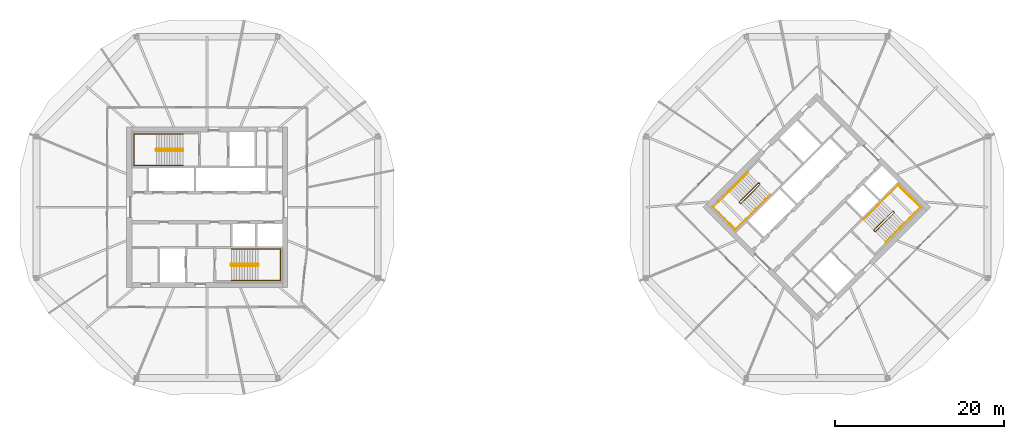
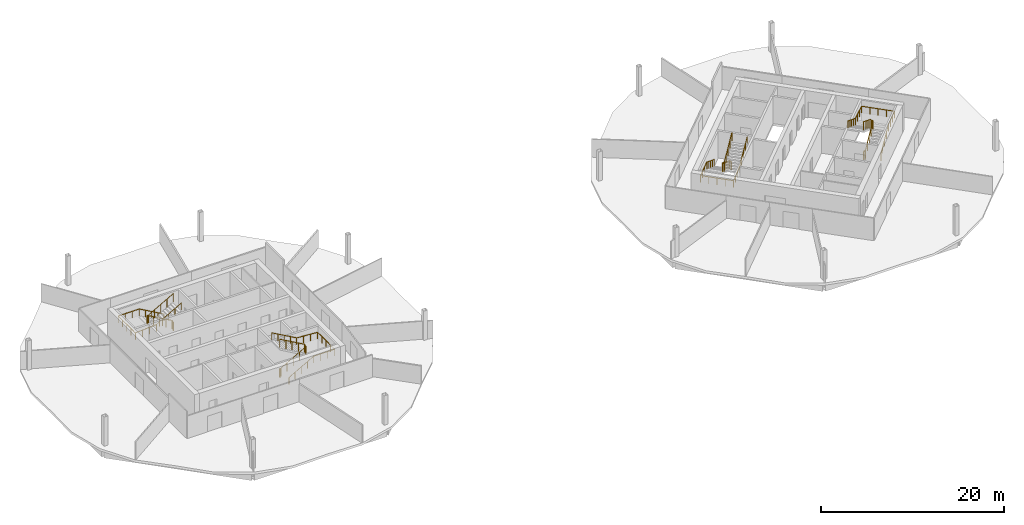
# One storey, part 10 of 10: 8 railings.
"""IFC4 building model written with IfcOpenShell, lengths in metres."""

from ifc_helpers import new_model, si_unit, direction, frame, origin, origin_2d, place, context, subcontext, project, spatial, circle, extrude, material, type_object, element, save


model = new_model("IFC4")

# Units and contexts
model_context = context("Model", 3, precision=1e-05, world=origin(), true_north=direction((0.0, 1.0)))
body_context = subcontext(model_context, "Body", "Model", "MODEL_VIEW")
ifc_project = project(units=[si_unit("LENGTHUNIT", "METRE"), si_unit("AREAUNIT", "SQUARE_METRE"), si_unit("VOLUMEUNIT", "CUBIC_METRE"), si_unit("PLANEANGLEUNIT", "RADIAN"), si_unit("MASSUNIT", "GRAM", prefix="KILO")], contexts=[model_context])

# Site, building, storey
site_placement = place(None, origin())
site = spatial("IfcSite", under=ifc_project, at=site_placement, CompositionType="ELEMENT")
building_placement = place(site_placement, origin())
building = spatial("IfcBuilding", under=site, at=building_placement, Name="Ogive Gate Towers", CompositionType="ELEMENT")
storey_placement = place(building_placement, frame((0.0, 0.0, 169.5)))
storey = spatial("IfcBuildingStorey", under=building, at=storey_placement, Name="L40", CompositionType="ELEMENT", Elevation=169.5)

# Railings
ifc_material = material(Name="Stainless steel", Category="steel")
railing_type_1 = type_object("IfcRailingType", Name="Stair guard 1100", PredefinedType="GUARDRAIL", material=ifc_material)
railing_1_placement = place(storey_placement, frame((-38.81494140625, 6.860107421875, 0.0)))
element("IfcRailing", 1, at=railing_1_placement, inside=storey, type_object=railing_type_1, Name="L40 ST1 stair guard 1", PredefinedType="GUARDRAIL", context=body_context, shape_type="SweptSolid", body=[
    extrude(circle(Radius=0.02392578125, at=origin_2d()), frame((0.0, 0.0, 1.076171875), z_axis=(0.0, -1.0, 0.0), x_axis=(1.0, 0.0, 0.0)), (0.0, 0.0, 1.0), 0.14501953125),
    extrude(circle(Radius=0.02392578125, at=origin_2d()), frame((0.0, -0.14501953125, 1.076171875), z_axis=(-0.186679794065, 0.726685247142, 0.661119660934), x_axis=(-0.968551454522, -0.24881334358, 0.0)), (0.0, 0.0, 1.0), 0.26806640625),
    extrude(circle(Radius=0.02392578125, at=origin_2d()), frame((-0.050048828125, 0.0498046875, 1.25341796875), z_axis=(-0.870572935281, 0.0, 0.492039393094), x_axis=(0.0, -1.0, 0.0)), (0.0, 0.0, 1.0), 3.602783203125),
    extrude(circle(Radius=0.02392578125, at=origin_2d()), frame((-3.1865234375, 0.0498046875, 3.02587890625), z_axis=(-0.707106781187, -0.707106781187, 0.0), x_axis=(0.707106781187, -0.707106781187, 0.0)), (0.0, 0.0, 1.0), 0.0703125),
    extrude(circle(Radius=0.02392578125, at=origin_2d()), frame((-3.236328125, 0.0, 3.02587890625), z_axis=(0.0, -1.0, 0.0), x_axis=(1.0, 0.0, 0.0)), (0.0, 0.0, 1.0), 0.14501953125),
    extrude(circle(Radius=0.02392578125, at=origin_2d()), frame((-3.236328125, -0.14501953125, 3.02587890625), z_axis=(0.261041864531, -0.262321481514, 0.929001929653), x_axis=(0.708833529934, 0.705375805398, 0.0)), (0.0, 0.0, 1.0), 0.190673828125),
    extrude(circle(Radius=0.02392578125, at=origin_2d()), frame((-3.1865234375, -0.195068359375, 3.203125), z_axis=(0.870572935281, 0.0, 0.492039393094), x_axis=(0.0, 1.0, 0.0)), (0.0, 0.0, 1.0), 3.602783203125),
    extrude(circle(Radius=0.02099609375, at=origin_2d()), origin(), (0.0, 0.0, 1.0), 1.052001953125),
    extrude(circle(Radius=0.02099609375, at=origin_2d()), frame((0.0, -0.14501953125, 0.0)), (0.0, 0.0, 1.0), 1.052001953125),
    extrude(circle(Radius=0.02099609375, at=origin_2d()), frame((-0.050048828125, 0.0498046875, 0.17724609375)), (0.0, 0.0, 1.0), 1.052001953125),
    extrude(circle(Radius=0.02099609375, at=origin_2d()), frame((-0.834228515625, 0.0498046875, 0.620361328125)), (0.0, 0.0, 1.0), 1.052001953125),
    extrude(circle(Radius=0.02099609375, at=origin_2d()), frame((-1.6181640625, 0.0498046875, 1.0634765625)), (0.0, 0.0, 1.0), 1.052001953125),
    extrude(circle(Radius=0.02099609375, at=origin_2d()), frame((-2.40234375, 0.0498046875, 1.5068359375)), (0.0, 0.0, 1.0), 1.052001953125),
    extrude(circle(Radius=0.02099609375, at=origin_2d()), frame((-3.1865234375, 0.0498046875, 1.949951171875)), (0.0, 0.0, 1.0), 1.052001953125),
    extrude(circle(Radius=0.02099609375, at=origin_2d()), frame((-3.236328125, 0.0, 1.949951171875)), (0.0, 0.0, 1.0), 1.052001953125),
    extrude(circle(Radius=0.02099609375, at=origin_2d()), frame((-3.236328125, -0.14501953125, 1.949951171875)), (0.0, 0.0, 1.0), 1.052001953125),
    extrude(circle(Radius=0.02099609375, at=origin_2d()), frame((-3.1865234375, -0.195068359375, 2.127197265625)), (0.0, 0.0, 1.0), 1.052001953125),
    extrude(circle(Radius=0.02099609375, at=origin_2d()), frame((-2.40234375, -0.195068359375, 2.5703125)), (0.0, 0.0, 1.0), 1.052001953125),
    extrude(circle(Radius=0.02099609375, at=origin_2d()), frame((-1.6181640625, -0.195068359375, 3.013671875)), (0.0, 0.0, 1.0), 1.052001953125),
    extrude(circle(Radius=0.02099609375, at=origin_2d()), frame((-0.834228515625, -0.195068359375, 3.456787109375)), (0.0, 0.0, 1.0), 1.052001953125),
    extrude(circle(Radius=0.02099609375, at=origin_2d()), frame((-0.050048828125, -0.195068359375, 3.89990234375)), (0.0, 0.0, 1.0), 1.052001953125),
])
railing_2_placement = place(storey_placement, frame((-33.18505859375, -6.860107421875, 0.0)))
element("IfcRailing", 2, at=railing_2_placement, inside=storey, type_object=railing_type_1, Name="L40 ST2 stair guard 1", PredefinedType="GUARDRAIL", context=body_context, shape_type="SweptSolid", body=[
    extrude(circle(Radius=0.02392578125, at=origin_2d()), frame((0.0, 0.0, 1.076171875), z_axis=(0.0, 1.0, 0.0), x_axis=(-1.0, 0.0, 0.0)), (0.0, 0.0, 1.0), 0.14501953125),
    extrude(circle(Radius=0.02392578125, at=origin_2d()), frame((0.0, 0.14501953125, 1.076171875), z_axis=(0.186679794065, -0.726685247142, 0.661119660934), x_axis=(0.968551454522, 0.24881334358, 0.0)), (0.0, 0.0, 1.0), 0.26806640625),
    extrude(circle(Radius=0.02392578125, at=origin_2d()), frame((0.050048828125, -0.0498046875, 1.25341796875), z_axis=(0.870572935281, 0.0, 0.492039393094), x_axis=(0.0, 1.0, 0.0)), (0.0, 0.0, 1.0), 3.602783203125),
    extrude(circle(Radius=0.02392578125, at=origin_2d()), frame((3.1865234375, -0.0498046875, 3.02587890625), z_axis=(0.707106781187, 0.707106781187, 0.0), x_axis=(-0.707106781187, 0.707106781187, 0.0)), (0.0, 0.0, 1.0), 0.0703125),
    extrude(circle(Radius=0.02392578125, at=origin_2d()), frame((3.236328125, 0.0, 3.02587890625), z_axis=(0.0, 1.0, 0.0), x_axis=(-1.0, 0.0, 0.0)), (0.0, 0.0, 1.0), 0.14501953125),
    extrude(circle(Radius=0.02392578125, at=origin_2d()), frame((3.236328125, 0.14501953125, 3.02587890625), z_axis=(-0.261041864531, 0.262321481514, 0.929001929653), x_axis=(-0.708833529934, -0.705375805398, 0.0)), (0.0, 0.0, 1.0), 0.190673828125),
    extrude(circle(Radius=0.02392578125, at=origin_2d()), frame((3.1865234375, 0.195068359375, 3.203125), z_axis=(-0.870572935281, 0.0, 0.492039393094), x_axis=(0.0, -1.0, 0.0)), (0.0, 0.0, 1.0), 3.602783203125),
    extrude(circle(Radius=0.02099609375, at=origin_2d()), origin(), (0.0, 0.0, 1.0), 1.052001953125),
    extrude(circle(Radius=0.02099609375, at=origin_2d()), frame((0.0, 0.14501953125, 0.0)), (0.0, 0.0, 1.0), 1.052001953125),
    extrude(circle(Radius=0.02099609375, at=origin_2d()), frame((0.050048828125, -0.0498046875, 0.17724609375)), (0.0, 0.0, 1.0), 1.052001953125),
    extrude(circle(Radius=0.02099609375, at=origin_2d()), frame((0.834228515625, -0.0498046875, 0.620361328125)), (0.0, 0.0, 1.0), 1.052001953125),
    extrude(circle(Radius=0.02099609375, at=origin_2d()), frame((1.6181640625, -0.0498046875, 1.0634765625)), (0.0, 0.0, 1.0), 1.052001953125),
    extrude(circle(Radius=0.02099609375, at=origin_2d()), frame((2.40234375, -0.0498046875, 1.5068359375)), (0.0, 0.0, 1.0), 1.052001953125),
    extrude(circle(Radius=0.02099609375, at=origin_2d()), frame((3.1865234375, -0.0498046875, 1.949951171875)), (0.0, 0.0, 1.0), 1.052001953125),
    extrude(circle(Radius=0.02099609375, at=origin_2d()), frame((3.236328125, 0.0, 1.949951171875)), (0.0, 0.0, 1.0), 1.052001953125),
    extrude(circle(Radius=0.02099609375, at=origin_2d()), frame((3.236328125, 0.14501953125, 1.949951171875)), (0.0, 0.0, 1.0), 1.052001953125),
    extrude(circle(Radius=0.02099609375, at=origin_2d()), frame((3.1865234375, 0.195068359375, 2.127197265625)), (0.0, 0.0, 1.0), 1.052001953125),
    extrude(circle(Radius=0.02099609375, at=origin_2d()), frame((2.40234375, 0.195068359375, 2.5703125)), (0.0, 0.0, 1.0), 1.052001953125),
    extrude(circle(Radius=0.02099609375, at=origin_2d()), frame((1.6181640625, 0.195068359375, 3.013671875)), (0.0, 0.0, 1.0), 1.052001953125),
    extrude(circle(Radius=0.02099609375, at=origin_2d()), frame((0.834228515625, 0.195068359375, 3.456787109375)), (0.0, 0.0, 1.0), 1.052001953125),
    extrude(circle(Radius=0.02099609375, at=origin_2d()), frame((0.050048828125, 0.195068359375, 3.89990234375)), (0.0, 0.0, 1.0), 1.052001953125),
])
railing_3_placement = place(storey_placement, frame((29.15869140625, 2.8603515625, 0.0)))
element("IfcRailing", 3, at=railing_3_placement, inside=storey, type_object=railing_type_1, Name="L40 ST1 stair guard 1", PredefinedType="GUARDRAIL", context=body_context, shape_type="SweptSolid", body=[
    extrude(circle(Radius=0.02392578125, at=origin_2d()), frame((0.0, 0.0, 1.076171875), z_axis=(0.707106781187, -0.707106781187, 0.0), x_axis=(0.707106781187, 0.707106781187, 0.0)), (0.0, 0.0, 1.0), 0.14501953125),
    extrude(circle(Radius=0.02392578125, at=origin_2d()), frame((0.1025390625, -0.1025390625, 1.076171875), z_axis=(-0.645571447971, 0.382425963537, 0.661050594114), x_axis=(-0.509669330572, -0.860370369942, 0.0)), (0.0, 0.0, 1.0), 0.26806640625),
    extrude(circle(Radius=0.02392578125, at=origin_2d()), frame((-0.070556640625, 0.0, 1.25341796875), z_axis=(-0.61558473135, -0.61558473135, 0.49204763698), x_axis=(0.707106781187, -0.707106781187, 0.0)), (0.0, 0.0, 1.0), 3.602783203125),
    extrude(circle(Radius=0.02392578125, at=origin_2d()), frame((-2.288330078125, -2.2177734375, 3.02587890625), z_axis=(0.0, -1.0, 0.0), x_axis=(1.0, 0.0, 0.0)), (0.0, 0.0, 1.0), 0.07080078125),
    extrude(circle(Radius=0.02392578125, at=origin_2d()), frame((-2.288330078125, -2.28857421875, 3.02587890625), z_axis=(0.707106781187, -0.707106781187, 0.0), x_axis=(0.707106781187, 0.707106781187, 0.0)), (0.0, 0.0, 1.0), 0.14501953125),
    extrude(circle(Radius=0.02392578125, at=origin_2d()), frame((-2.185791015625, -2.39111328125, 3.02587890625), z_axis=(0.369845645421, 0.0, 0.929093213065), x_axis=(0.0, 1.0, 0.0)), (0.0, 0.0, 1.0), 0.190673828125),
    extrude(circle(Radius=0.02392578125, at=origin_2d()), frame((-2.115234375, -2.39111328125, 3.203125), z_axis=(0.61558473135, 0.61558473135, 0.49204763698), x_axis=(-0.707106781187, 0.707106781187, 0.0)), (0.0, 0.0, 1.0), 3.602783203125),
    extrude(circle(Radius=0.02099609375, at=origin_2d()), origin(), (0.0, 0.0, 1.0), 1.052001953125),
    extrude(circle(Radius=0.02099609375, at=origin_2d()), frame((0.1025390625, -0.1025390625, 0.0)), (0.0, 0.0, 1.0), 1.052001953125),
    extrude(circle(Radius=0.02099609375, at=origin_2d()), frame((-0.070556640625, 0.0, 0.17724609375)), (0.0, 0.0, 1.0), 1.052001953125),
    extrude(circle(Radius=0.02099609375, at=origin_2d()), frame((-0.625, -0.554443359375, 0.620361328125)), (0.0, 0.0, 1.0), 1.052001953125),
    extrude(circle(Radius=0.02099609375, at=origin_2d()), frame((-1.179443359375, -1.10888671875, 1.0634765625)), (0.0, 0.0, 1.0), 1.052001953125),
    extrude(circle(Radius=0.02099609375, at=origin_2d()), frame((-1.73388671875, -1.663330078125, 1.5068359375)), (0.0, 0.0, 1.0), 1.052001953125),
    extrude(circle(Radius=0.02099609375, at=origin_2d()), frame((-2.288330078125, -2.2177734375, 1.949951171875)), (0.0, 0.0, 1.0), 1.052001953125),
    extrude(circle(Radius=0.02099609375, at=origin_2d()), frame((-2.288330078125, -2.28857421875, 1.949951171875)), (0.0, 0.0, 1.0), 1.052001953125),
    extrude(circle(Radius=0.02099609375, at=origin_2d()), frame((-2.185791015625, -2.39111328125, 1.949951171875)), (0.0, 0.0, 1.0), 1.052001953125),
    extrude(circle(Radius=0.02099609375, at=origin_2d()), frame((-2.115234375, -2.39111328125, 2.127197265625)), (0.0, 0.0, 1.0), 1.052001953125),
    extrude(circle(Radius=0.02099609375, at=origin_2d()), frame((-1.560791015625, -1.836669921875, 2.5703125)), (0.0, 0.0, 1.0), 1.052001953125),
    extrude(circle(Radius=0.02099609375, at=origin_2d()), frame((-1.00634765625, -1.2822265625, 3.013671875)), (0.0, 0.0, 1.0), 1.052001953125),
    extrude(circle(Radius=0.02099609375, at=origin_2d()), frame((-0.451904296875, -0.727783203125, 3.456787109375)), (0.0, 0.0, 1.0), 1.052001953125),
    extrude(circle(Radius=0.02099609375, at=origin_2d()), frame((0.1025390625, -0.17333984375, 3.89990234375)), (0.0, 0.0, 1.0), 1.052001953125),
])
railing_4_placement = place(storey_placement, frame((42.84130859375, -2.8603515625, 0.0)))
element("IfcRailing", 4, at=railing_4_placement, inside=storey, type_object=railing_type_1, Name="L40 ST2 stair guard 1", PredefinedType="GUARDRAIL", context=body_context, shape_type="SweptSolid", body=[
    extrude(circle(Radius=0.02392578125, at=origin_2d()), frame((0.0, 0.0, 1.076171875), z_axis=(-0.707106781187, 0.707106781187, 0.0), x_axis=(-0.707106781187, -0.707106781187, 0.0)), (0.0, 0.0, 1.0), 0.14501953125),
    extrude(circle(Radius=0.02392578125, at=origin_2d()), frame((-0.1025390625, 0.1025390625, 1.076171875), z_axis=(0.645571447971, -0.382425963537, 0.661050594114), x_axis=(0.509669330572, 0.860370369942, 0.0)), (0.0, 0.0, 1.0), 0.26806640625),
    extrude(circle(Radius=0.02392578125, at=origin_2d()), frame((0.070556640625, 0.0, 1.25341796875), z_axis=(0.61558473135, 0.61558473135, 0.49204763698), x_axis=(-0.707106781187, 0.707106781187, 0.0)), (0.0, 0.0, 1.0), 3.602783203125),
    extrude(circle(Radius=0.02392578125, at=origin_2d()), frame((2.288330078125, 2.2177734375, 3.02587890625), z_axis=(0.0, 1.0, 0.0), x_axis=(-1.0, 0.0, 0.0)), (0.0, 0.0, 1.0), 0.07080078125),
    extrude(circle(Radius=0.02392578125, at=origin_2d()), frame((2.288330078125, 2.28857421875, 3.02587890625), z_axis=(-0.707106781187, 0.707106781187, 0.0), x_axis=(-0.707106781187, -0.707106781187, 0.0)), (0.0, 0.0, 1.0), 0.14501953125),
    extrude(circle(Radius=0.02392578125, at=origin_2d()), frame((2.185791015625, 2.39111328125, 3.02587890625), z_axis=(-0.369845645421, 0.0, 0.929093213065), x_axis=(0.0, -1.0, 0.0)), (0.0, 0.0, 1.0), 0.190673828125),
    extrude(circle(Radius=0.02392578125, at=origin_2d()), frame((2.115234375, 2.39111328125, 3.203125), z_axis=(-0.61558473135, -0.61558473135, 0.49204763698), x_axis=(0.707106781187, -0.707106781187, 0.0)), (0.0, 0.0, 1.0), 3.602783203125),
    extrude(circle(Radius=0.02099609375, at=origin_2d()), origin(), (0.0, 0.0, 1.0), 1.052001953125),
    extrude(circle(Radius=0.02099609375, at=origin_2d()), frame((-0.1025390625, 0.1025390625, 0.0)), (0.0, 0.0, 1.0), 1.052001953125),
    extrude(circle(Radius=0.02099609375, at=origin_2d()), frame((0.070556640625, 0.0, 0.17724609375)), (0.0, 0.0, 1.0), 1.052001953125),
    extrude(circle(Radius=0.02099609375, at=origin_2d()), frame((0.625, 0.554443359375, 0.620361328125)), (0.0, 0.0, 1.0), 1.052001953125),
    extrude(circle(Radius=0.02099609375, at=origin_2d()), frame((1.179443359375, 1.10888671875, 1.0634765625)), (0.0, 0.0, 1.0), 1.052001953125),
    extrude(circle(Radius=0.02099609375, at=origin_2d()), frame((1.73388671875, 1.663330078125, 1.5068359375)), (0.0, 0.0, 1.0), 1.052001953125),
    extrude(circle(Radius=0.02099609375, at=origin_2d()), frame((2.288330078125, 2.2177734375, 1.949951171875)), (0.0, 0.0, 1.0), 1.052001953125),
    extrude(circle(Radius=0.02099609375, at=origin_2d()), frame((2.288330078125, 2.28857421875, 1.949951171875)), (0.0, 0.0, 1.0), 1.052001953125),
    extrude(circle(Radius=0.02099609375, at=origin_2d()), frame((2.185791015625, 2.39111328125, 1.949951171875)), (0.0, 0.0, 1.0), 1.052001953125),
    extrude(circle(Radius=0.02099609375, at=origin_2d()), frame((2.115234375, 2.39111328125, 2.127197265625)), (0.0, 0.0, 1.0), 1.052001953125),
    extrude(circle(Radius=0.02099609375, at=origin_2d()), frame((1.560791015625, 1.836669921875, 2.5703125)), (0.0, 0.0, 1.0), 1.052001953125),
    extrude(circle(Radius=0.02099609375, at=origin_2d()), frame((1.00634765625, 1.2822265625, 3.013671875)), (0.0, 0.0, 1.0), 1.052001953125),
    extrude(circle(Radius=0.02099609375, at=origin_2d()), frame((0.451904296875, 0.727783203125, 3.456787109375)), (0.0, 0.0, 1.0), 1.052001953125),
    extrude(circle(Radius=0.02099609375, at=origin_2d()), frame((-0.1025390625, 0.17333984375, 3.89990234375)), (0.0, 0.0, 1.0), 1.052001953125),
])
railing_type_2 = type_object("IfcRailingType", Name="Stair handrail 900", PredefinedType="HANDRAIL", material=ifc_material)
railing_5_placement = place(storey_placement, frame((-38.864990234375, 8.64990234375, 0.17724609375)))
element("IfcRailing", 5, at=railing_5_placement, inside=storey, type_object=railing_type_2, Name="L40 ST1 stair handrail 1", PredefinedType="HANDRAIL", context=body_context, shape_type="SweptSolid", body=[
    extrude(circle(Radius=0.02392578125, at=origin_2d()), frame((0.0, 0.0, 0.8759765625), z_axis=(-0.870572935281, 0.0, 0.492039393094), x_axis=(0.0, -1.0, 0.0)), (0.0, 0.0, 1.0), 3.602783203125),
    extrude(circle(Radius=0.02392578125, at=origin_2d()), frame((-3.136474609375, 0.0, 2.6484375), z_axis=(-1.0, 0.0, 0.0), x_axis=(0.0, -1.0, 0.0)), (0.0, 0.0, 1.0), 2.6484375),
    extrude(circle(Radius=0.02392578125, at=origin_2d()), frame((-5.784912109375, 0.0, 2.6484375), z_axis=(0.0, -1.0, 0.0), x_axis=(1.0, 0.0, 0.0)), (0.0, 0.0, 1.0), 3.724853515625),
    extrude(circle(Radius=0.02392578125, at=origin_2d()), frame((-5.784912109375, -3.724853515625, 2.6484375), z_axis=(0.997768031817, 0.0, 0.066775404784), x_axis=(0.0, 1.0, 0.0)), (0.0, 0.0, 1.0), 2.654296875),
    extrude(circle(Radius=0.02392578125, at=origin_2d()), frame((-3.136474609375, -3.724853515625, 2.82568359375), z_axis=(0.870572935281, 0.0, 0.492039393094), x_axis=(0.0, 1.0, 0.0)), (0.0, 0.0, 1.0), 3.602783203125),
    extrude(circle(Radius=0.02099609375, at=origin_2d()), origin(), (0.0, 0.0, 1.0), 0.851806640625),
    extrude(circle(Radius=0.02099609375, at=origin_2d()), frame((-0.7841796875, 0.0, 0.443115234375)), (0.0, 0.0, 1.0), 0.851806640625),
    extrude(circle(Radius=0.02099609375, at=origin_2d()), frame((-1.568359375, 0.0, 0.88623046875)), (0.0, 0.0, 1.0), 0.851806640625),
    extrude(circle(Radius=0.02099609375, at=origin_2d()), frame((-2.352294921875, 0.0, 1.32958984375)), (0.0, 0.0, 1.0), 0.851806640625),
    extrude(circle(Radius=0.02099609375, at=origin_2d()), frame((-3.136474609375, 0.0, 1.772705078125)), (0.0, 0.0, 1.0), 0.851806640625),
    extrude(circle(Radius=0.02099609375, at=origin_2d()), frame((-4.019287109375, 0.0, 1.772705078125)), (0.0, 0.0, 1.0), 0.851806640625),
    extrude(circle(Radius=0.02099609375, at=origin_2d()), frame((-4.902099609375, 0.0, 1.772705078125)), (0.0, 0.0, 1.0), 0.851806640625),
    extrude(circle(Radius=0.02099609375, at=origin_2d()), frame((-5.784912109375, 0.0, 1.772705078125)), (0.0, 0.0, 1.0), 0.851806640625),
    extrude(circle(Radius=0.02099609375, at=origin_2d()), frame((-5.784912109375, -0.93115234375, 1.772705078125)), (0.0, 0.0, 1.0), 0.851806640625),
    extrude(circle(Radius=0.02099609375, at=origin_2d()), frame((-5.784912109375, -1.8623046875, 1.772705078125)), (0.0, 0.0, 1.0), 0.851806640625),
    extrude(circle(Radius=0.02099609375, at=origin_2d()), frame((-5.784912109375, -2.793701171875, 1.772705078125)), (0.0, 0.0, 1.0), 0.851806640625),
    extrude(circle(Radius=0.02099609375, at=origin_2d()), frame((-5.784912109375, -3.724853515625, 1.772705078125)), (0.0, 0.0, 1.0), 0.851806640625),
    extrude(circle(Radius=0.02099609375, at=origin_2d()), frame((-4.902099609375, -3.724853515625, 1.831787109375)), (0.0, 0.0, 1.0), 0.851806640625),
    extrude(circle(Radius=0.02099609375, at=origin_2d()), frame((-4.019287109375, -3.724853515625, 1.890869140625)), (0.0, 0.0, 1.0), 0.851806640625),
    extrude(circle(Radius=0.02099609375, at=origin_2d()), frame((-3.136474609375, -3.724853515625, 1.949951171875)), (0.0, 0.0, 1.0), 0.851806640625),
    extrude(circle(Radius=0.02099609375, at=origin_2d()), frame((-2.352294921875, -3.724853515625, 2.39306640625)), (0.0, 0.0, 1.0), 0.851806640625),
    extrude(circle(Radius=0.02099609375, at=origin_2d()), frame((-1.568359375, -3.724853515625, 2.83642578125)), (0.0, 0.0, 1.0), 0.851806640625),
    extrude(circle(Radius=0.02099609375, at=origin_2d()), frame((-0.7841796875, -3.724853515625, 3.279541015625)), (0.0, 0.0, 1.0), 0.851806640625),
    extrude(circle(Radius=0.02099609375, at=origin_2d()), frame((0.0, -3.724853515625, 3.72265625)), (0.0, 0.0, 1.0), 0.851806640625),
])
railing_6_placement = place(storey_placement, frame((-33.135009765625, -8.64990234375, 0.17724609375)))
element("IfcRailing", 6, at=railing_6_placement, inside=storey, type_object=railing_type_2, Name="L40 ST2 stair handrail 1", PredefinedType="HANDRAIL", context=body_context, shape_type="SweptSolid", body=[
    extrude(circle(Radius=0.02392578125, at=origin_2d()), frame((0.0, 0.0, 0.8759765625), z_axis=(0.870572935281, 0.0, 0.492039393094), x_axis=(0.0, 1.0, 0.0)), (0.0, 0.0, 1.0), 3.602783203125),
    extrude(circle(Radius=0.02392578125, at=origin_2d()), frame((3.136474609375, 0.0, 2.6484375), z_axis=(1.0, 0.0, 0.0), x_axis=(0.0, 1.0, 0.0)), (0.0, 0.0, 1.0), 2.6484375),
    extrude(circle(Radius=0.02392578125, at=origin_2d()), frame((5.784912109375, 0.0, 2.6484375), z_axis=(0.0, 1.0, 0.0), x_axis=(-1.0, 0.0, 0.0)), (0.0, 0.0, 1.0), 3.724853515625),
    extrude(circle(Radius=0.02392578125, at=origin_2d()), frame((5.784912109375, 3.724853515625, 2.6484375), z_axis=(-0.997768031817, 0.0, 0.066775404784), x_axis=(0.0, -1.0, 0.0)), (0.0, 0.0, 1.0), 2.654296875),
    extrude(circle(Radius=0.02392578125, at=origin_2d()), frame((3.136474609375, 3.724853515625, 2.82568359375), z_axis=(-0.870572935281, 0.0, 0.492039393094), x_axis=(0.0, -1.0, 0.0)), (0.0, 0.0, 1.0), 3.602783203125),
    extrude(circle(Radius=0.02099609375, at=origin_2d()), origin(), (0.0, 0.0, 1.0), 0.851806640625),
    extrude(circle(Radius=0.02099609375, at=origin_2d()), frame((0.7841796875, 0.0, 0.443115234375)), (0.0, 0.0, 1.0), 0.851806640625),
    extrude(circle(Radius=0.02099609375, at=origin_2d()), frame((1.568359375, 0.0, 0.88623046875)), (0.0, 0.0, 1.0), 0.851806640625),
    extrude(circle(Radius=0.02099609375, at=origin_2d()), frame((2.352294921875, 0.0, 1.32958984375)), (0.0, 0.0, 1.0), 0.851806640625),
    extrude(circle(Radius=0.02099609375, at=origin_2d()), frame((3.136474609375, 0.0, 1.772705078125)), (0.0, 0.0, 1.0), 0.851806640625),
    extrude(circle(Radius=0.02099609375, at=origin_2d()), frame((4.019287109375, 0.0, 1.772705078125)), (0.0, 0.0, 1.0), 0.851806640625),
    extrude(circle(Radius=0.02099609375, at=origin_2d()), frame((4.902099609375, 0.0, 1.772705078125)), (0.0, 0.0, 1.0), 0.851806640625),
    extrude(circle(Radius=0.02099609375, at=origin_2d()), frame((5.784912109375, 0.0, 1.772705078125)), (0.0, 0.0, 1.0), 0.851806640625),
    extrude(circle(Radius=0.02099609375, at=origin_2d()), frame((5.784912109375, 0.93115234375, 1.772705078125)), (0.0, 0.0, 1.0), 0.851806640625),
    extrude(circle(Radius=0.02099609375, at=origin_2d()), frame((5.784912109375, 1.8623046875, 1.772705078125)), (0.0, 0.0, 1.0), 0.851806640625),
    extrude(circle(Radius=0.02099609375, at=origin_2d()), frame((5.784912109375, 2.793701171875, 1.772705078125)), (0.0, 0.0, 1.0), 0.851806640625),
    extrude(circle(Radius=0.02099609375, at=origin_2d()), frame((5.784912109375, 3.724853515625, 1.772705078125)), (0.0, 0.0, 1.0), 0.851806640625),
    extrude(circle(Radius=0.02099609375, at=origin_2d()), frame((4.902099609375, 3.724853515625, 1.831787109375)), (0.0, 0.0, 1.0), 0.851806640625),
    extrude(circle(Radius=0.02099609375, at=origin_2d()), frame((4.019287109375, 3.724853515625, 1.890869140625)), (0.0, 0.0, 1.0), 0.851806640625),
    extrude(circle(Radius=0.02099609375, at=origin_2d()), frame((3.136474609375, 3.724853515625, 1.949951171875)), (0.0, 0.0, 1.0), 0.851806640625),
    extrude(circle(Radius=0.02099609375, at=origin_2d()), frame((2.352294921875, 3.724853515625, 2.39306640625)), (0.0, 0.0, 1.0), 0.851806640625),
    extrude(circle(Radius=0.02099609375, at=origin_2d()), frame((1.568359375, 3.724853515625, 2.83642578125)), (0.0, 0.0, 1.0), 0.851806640625),
    extrude(circle(Radius=0.02099609375, at=origin_2d()), frame((0.7841796875, 3.724853515625, 3.279541015625)), (0.0, 0.0, 1.0), 0.851806640625),
    extrude(circle(Radius=0.02099609375, at=origin_2d()), frame((0.0, 3.724853515625, 3.72265625)), (0.0, 0.0, 1.0), 0.851806640625),
])
railing_7_placement = place(storey_placement, frame((27.857666015625, 4.090576171875, 0.17724609375)))
element("IfcRailing", 7, at=railing_7_placement, inside=storey, type_object=railing_type_2, Name="L40 ST1 stair handrail 1", PredefinedType="HANDRAIL", context=body_context, shape_type="SweptSolid", body=[
    extrude(circle(Radius=0.02392578125, at=origin_2d()), frame((0.0, 0.0, 0.8759765625), z_axis=(-0.61558473135, -0.61558473135, 0.49204763698), x_axis=(0.707106781187, -0.707106781187, 0.0)), (0.0, 0.0, 1.0), 3.602783203125),
    extrude(circle(Radius=0.02392578125, at=origin_2d()), frame((-2.2177734375, -2.2177734375, 2.6484375), z_axis=(-0.707106781187, -0.707106781187, 0.0), x_axis=(0.707106781187, -0.707106781187, 0.0)), (0.0, 0.0, 1.0), 2.6484375),
    extrude(circle(Radius=0.02392578125, at=origin_2d()), frame((-4.090576171875, -4.090576171875, 2.6484375), z_axis=(0.707106781187, -0.707106781187, 0.0), x_axis=(0.707106781187, 0.707106781187, 0.0)), (0.0, 0.0, 1.0), 3.72509765625),
    extrude(circle(Radius=0.02392578125, at=origin_2d()), frame((-1.45654296875, -6.724609375, 2.6484375), z_axis=(0.705482886452, 0.705574853978, 0.066768423356), x_axis=(-0.70715286629, 0.70706069308, 0.0)), (0.0, 0.0, 1.0), 2.654541015625),
    extrude(circle(Radius=0.02392578125, at=origin_2d()), frame((0.416259765625, -4.8515625, 2.82568359375), z_axis=(0.615610411033, 0.615542642384, 0.4920681632), x_axis=(-0.70706785752, 0.70714570271, 0.0)), (0.0, 0.0, 1.0), 3.6025390625),
    extrude(circle(Radius=0.02099609375, at=origin_2d()), origin(), (0.0, 0.0, 1.0), 0.851806640625),
    extrude(circle(Radius=0.02099609375, at=origin_2d()), frame((-0.554443359375, -0.554443359375, 0.443115234375)), (0.0, 0.0, 1.0), 0.851806640625),
    extrude(circle(Radius=0.02099609375, at=origin_2d()), frame((-1.10888671875, -1.10888671875, 0.88623046875)), (0.0, 0.0, 1.0), 0.851806640625),
    extrude(circle(Radius=0.02099609375, at=origin_2d()), frame((-1.663330078125, -1.663330078125, 1.32958984375)), (0.0, 0.0, 1.0), 0.851806640625),
    extrude(circle(Radius=0.02099609375, at=origin_2d()), frame((-2.2177734375, -2.2177734375, 1.772705078125)), (0.0, 0.0, 1.0), 0.851806640625),
    extrude(circle(Radius=0.02099609375, at=origin_2d()), frame((-2.842041015625, -2.842041015625, 1.772705078125)), (0.0, 0.0, 1.0), 0.851806640625),
    extrude(circle(Radius=0.02099609375, at=origin_2d()), frame((-3.46630859375, -3.46630859375, 1.772705078125)), (0.0, 0.0, 1.0), 0.851806640625),
    extrude(circle(Radius=0.02099609375, at=origin_2d()), frame((-4.090576171875, -4.090576171875, 1.772705078125)), (0.0, 0.0, 1.0), 0.851806640625),
    extrude(circle(Radius=0.02099609375, at=origin_2d()), frame((-3.43212890625, -4.7490234375, 1.772705078125)), (0.0, 0.0, 1.0), 0.851806640625),
    extrude(circle(Radius=0.02099609375, at=origin_2d()), frame((-2.7734375, -5.40771484375, 1.772705078125)), (0.0, 0.0, 1.0), 0.851806640625),
    extrude(circle(Radius=0.02099609375, at=origin_2d()), frame((-2.114990234375, -6.066162109375, 1.772705078125)), (0.0, 0.0, 1.0), 0.851806640625),
    extrude(circle(Radius=0.02099609375, at=origin_2d()), frame((-1.45654296875, -6.724609375, 1.772705078125)), (0.0, 0.0, 1.0), 0.851806640625),
    extrude(circle(Radius=0.02099609375, at=origin_2d()), frame((-0.832275390625, -6.100341796875, 1.831787109375)), (0.0, 0.0, 1.0), 0.851806640625),
    extrude(circle(Radius=0.02099609375, at=origin_2d()), frame((-0.2080078125, -5.475830078125, 1.890869140625)), (0.0, 0.0, 1.0), 0.851806640625),
    extrude(circle(Radius=0.02099609375, at=origin_2d()), frame((0.416259765625, -4.8515625, 1.949951171875)), (0.0, 0.0, 1.0), 0.851806640625),
    extrude(circle(Radius=0.02099609375, at=origin_2d()), frame((0.970703125, -4.297119140625, 2.39306640625)), (0.0, 0.0, 1.0), 0.851806640625),
    extrude(circle(Radius=0.02099609375, at=origin_2d()), frame((1.525146484375, -3.74267578125, 2.83642578125)), (0.0, 0.0, 1.0), 0.851806640625),
    extrude(circle(Radius=0.02099609375, at=origin_2d()), frame((2.07958984375, -3.1884765625, 3.279541015625)), (0.0, 0.0, 1.0), 0.851806640625),
    extrude(circle(Radius=0.02099609375, at=origin_2d()), frame((2.634033203125, -2.634033203125, 3.72265625)), (0.0, 0.0, 1.0), 0.851806640625),
])
railing_8_placement = place(storey_placement, frame((44.142333984375, -4.090576171875, 0.17724609375)))
element("IfcRailing", 8, at=railing_8_placement, inside=storey, type_object=railing_type_2, Name="L40 ST2 stair handrail 1", PredefinedType="HANDRAIL", context=body_context, shape_type="SweptSolid", body=[
    extrude(circle(Radius=0.02392578125, at=origin_2d()), frame((0.0, 0.0, 0.8759765625), z_axis=(0.61558473135, 0.61558473135, 0.49204763698), x_axis=(-0.707106781187, 0.707106781187, 0.0)), (0.0, 0.0, 1.0), 3.602783203125),
    extrude(circle(Radius=0.02392578125, at=origin_2d()), frame((2.2177734375, 2.2177734375, 2.6484375), z_axis=(0.707106781187, 0.707106781187, 0.0), x_axis=(-0.707106781187, 0.707106781187, 0.0)), (0.0, 0.0, 1.0), 2.6484375),
    extrude(circle(Radius=0.02392578125, at=origin_2d()), frame((4.090576171875, 4.090576171875, 2.6484375), z_axis=(-0.707106781187, 0.707106781187, 0.0), x_axis=(-0.707106781187, -0.707106781187, 0.0)), (0.0, 0.0, 1.0), 3.72509765625),
    extrude(circle(Radius=0.02392578125, at=origin_2d()), frame((1.45654296875, 6.724609375, 2.6484375), z_axis=(-0.705482886452, -0.705574853978, 0.066768423356), x_axis=(0.70715286629, -0.70706069308, 0.0)), (0.0, 0.0, 1.0), 2.654541015625),
    extrude(circle(Radius=0.02392578125, at=origin_2d()), frame((-0.416259765625, 4.8515625, 2.82568359375), z_axis=(-0.615610411033, -0.615542642384, 0.4920681632), x_axis=(0.70706785752, -0.70714570271, 0.0)), (0.0, 0.0, 1.0), 3.6025390625),
    extrude(circle(Radius=0.02099609375, at=origin_2d()), origin(), (0.0, 0.0, 1.0), 0.851806640625),
    extrude(circle(Radius=0.02099609375, at=origin_2d()), frame((0.554443359375, 0.554443359375, 0.443115234375)), (0.0, 0.0, 1.0), 0.851806640625),
    extrude(circle(Radius=0.02099609375, at=origin_2d()), frame((1.10888671875, 1.10888671875, 0.88623046875)), (0.0, 0.0, 1.0), 0.851806640625),
    extrude(circle(Radius=0.02099609375, at=origin_2d()), frame((1.663330078125, 1.663330078125, 1.32958984375)), (0.0, 0.0, 1.0), 0.851806640625),
    extrude(circle(Radius=0.02099609375, at=origin_2d()), frame((2.2177734375, 2.2177734375, 1.772705078125)), (0.0, 0.0, 1.0), 0.851806640625),
    extrude(circle(Radius=0.02099609375, at=origin_2d()), frame((2.842041015625, 2.842041015625, 1.772705078125)), (0.0, 0.0, 1.0), 0.851806640625),
    extrude(circle(Radius=0.02099609375, at=origin_2d()), frame((3.46630859375, 3.46630859375, 1.772705078125)), (0.0, 0.0, 1.0), 0.851806640625),
    extrude(circle(Radius=0.02099609375, at=origin_2d()), frame((4.090576171875, 4.090576171875, 1.772705078125)), (0.0, 0.0, 1.0), 0.851806640625),
    extrude(circle(Radius=0.02099609375, at=origin_2d()), frame((3.43212890625, 4.7490234375, 1.772705078125)), (0.0, 0.0, 1.0), 0.851806640625),
    extrude(circle(Radius=0.02099609375, at=origin_2d()), frame((2.7734375, 5.40771484375, 1.772705078125)), (0.0, 0.0, 1.0), 0.851806640625),
    extrude(circle(Radius=0.02099609375, at=origin_2d()), frame((2.114990234375, 6.066162109375, 1.772705078125)), (0.0, 0.0, 1.0), 0.851806640625),
    extrude(circle(Radius=0.02099609375, at=origin_2d()), frame((1.45654296875, 6.724609375, 1.772705078125)), (0.0, 0.0, 1.0), 0.851806640625),
    extrude(circle(Radius=0.02099609375, at=origin_2d()), frame((0.832275390625, 6.100341796875, 1.831787109375)), (0.0, 0.0, 1.0), 0.851806640625),
    extrude(circle(Radius=0.02099609375, at=origin_2d()), frame((0.2080078125, 5.475830078125, 1.890869140625)), (0.0, 0.0, 1.0), 0.851806640625),
    extrude(circle(Radius=0.02099609375, at=origin_2d()), frame((-0.416259765625, 4.8515625, 1.949951171875)), (0.0, 0.0, 1.0), 0.851806640625),
    extrude(circle(Radius=0.02099609375, at=origin_2d()), frame((-0.970703125, 4.297119140625, 2.39306640625)), (0.0, 0.0, 1.0), 0.851806640625),
    extrude(circle(Radius=0.02099609375, at=origin_2d()), frame((-1.525146484375, 3.74267578125, 2.83642578125)), (0.0, 0.0, 1.0), 0.851806640625),
    extrude(circle(Radius=0.02099609375, at=origin_2d()), frame((-2.07958984375, 3.1884765625, 3.279541015625)), (0.0, 0.0, 1.0), 0.851806640625),
    extrude(circle(Radius=0.02099609375, at=origin_2d()), frame((-2.634033203125, 2.634033203125, 3.72265625)), (0.0, 0.0, 1.0), 0.851806640625),
])

save(model, "model.ifc")
